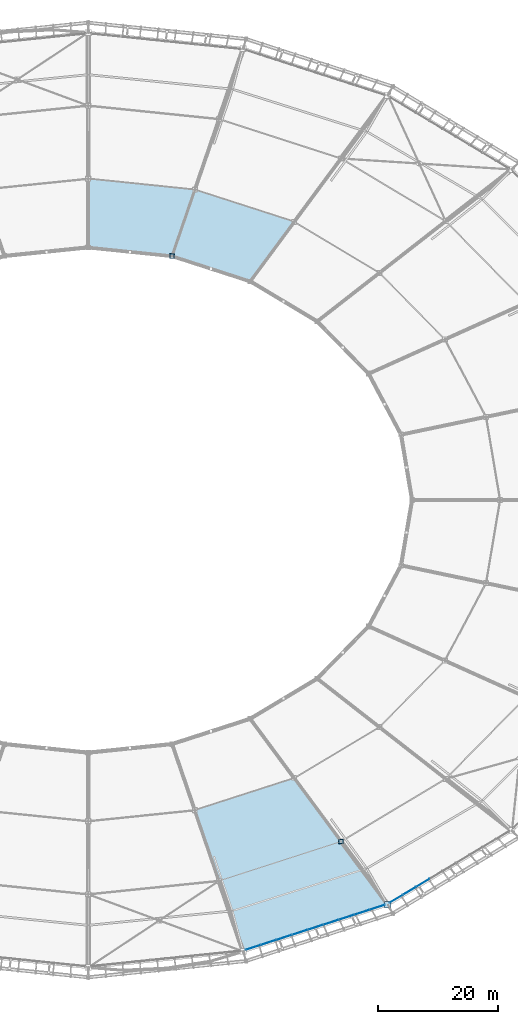
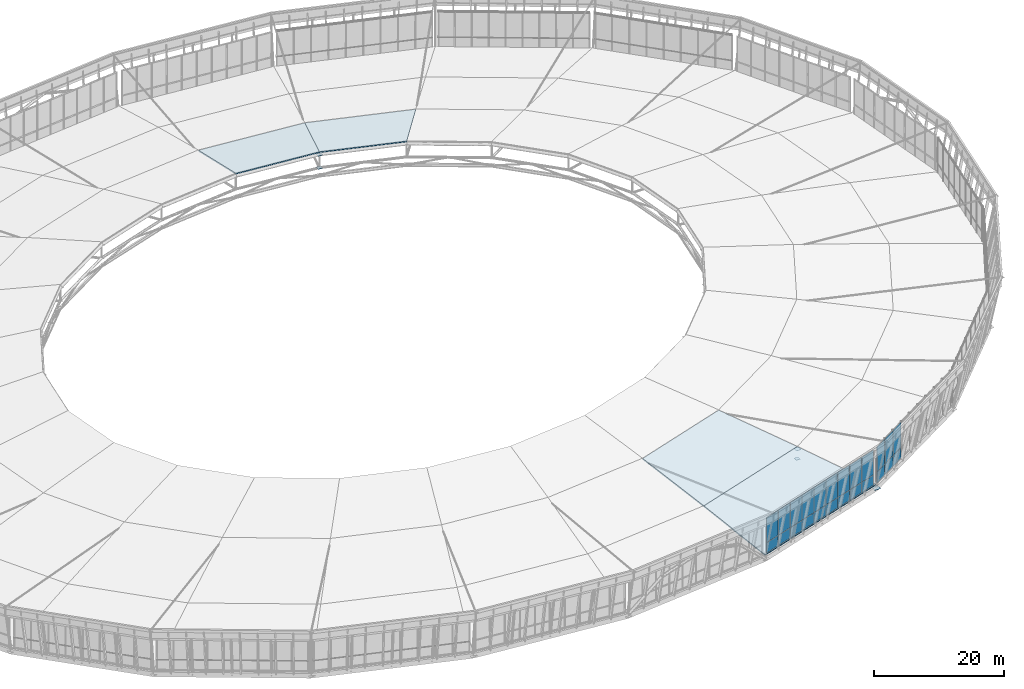
# One storey, part 89 of 115: 29 plates, 4 slabs, 4 elements without a shape of their own.
"""IFC4 building model written with IfcOpenShell, lengths in metres."""

from ifc_helpers import new_model, si_unit, direction, frame, origin, origin_2d, place, context, subcontext, project, spatial, polyline, rectangle, outline, extrude, material, layer, layer_set, type_object, element, aggregate, save


model = new_model("IFC4")

# Units and contexts
model_context = context("Model", 3, precision=1e-05, world=origin(), true_north=direction((0.0, 1.0)))
body_context = subcontext(model_context, "Body", "Model", "MODEL_VIEW")
ifc_project = project(units=[si_unit("LENGTHUNIT", "METRE"), si_unit("AREAUNIT", "SQUARE_METRE"), si_unit("VOLUMEUNIT", "CUBIC_METRE"), si_unit("PLANEANGLEUNIT", "RADIAN"), si_unit("MASSUNIT", "GRAM", prefix="KILO")], contexts=[model_context])

# Site, building, storey
site_placement = place(None, origin())
site = spatial("IfcSite", under=ifc_project, at=site_placement, CompositionType="ELEMENT")
building_placement = place(site_placement, origin())
building = spatial("IfcBuilding", under=site, at=building_placement, Name="Zlatoyarsky Gate Stadium", CompositionType="ELEMENT")
storey_placement = place(building_placement, frame((0.0, 0.0, 31.800048828125)))
storey = spatial("IfcBuildingStorey", under=building, at=storey_placement, Name="RF", CompositionType="ELEMENT", Elevation=31.800048828125)

# Roof, slabs
ifc_material_1 = material(Name="Standing-seam aluminium-zinc roofing with mineral wool insulation", Category="aluminium")
ifc_layer_1 = layer(ifc_material_1, 0.080078125)
ifc_layer_set_1 = layer_set([ifc_layer_1], Name="Standing-seam aluminium-zinc roofing with mineral wool insulation")
roof_type = type_object("IfcRoofType", Name="STADIUM BARREL VAULT ROOF ASSEMBLY", PredefinedType="BARREL_ROOF", material=ifc_layer_set_1)
roof_1_placement = place(storey_placement, origin())
roof_1 = element("IfcRoof", 1, at=roof_1_placement, inside=storey, type_object=roof_type, Name="Stadium barrel arch roof sector 2", PredefinedType="BARREL_ROOF")
ifc_material_2 = material(Name="Concrete C40/50", Category="concrete")
ifc_layer_2 = layer(ifc_material_2, 0.199951171875)
ifc_layer_set_2 = layer_set([ifc_layer_2], Name="Concrete C40/50")
slab_type = type_object("IfcSlabType", Name="COMPOSITE STADIUM ROOF DECK SLAB 200", PredefinedType="ROOF", material=ifc_layer_set_2)
slab_1_placement = place(storey_placement, frame((145.369384765625, 126.436767578125, 6.75), z_axis=(0.067758031107, 0.209707146145, 0.975413636401), x_axis=(-0.951560523066, 0.307461495055, -1.030491e-06)))
slab_1 = element("IfcSlab", 2, at=slab_1_placement, type_object=slab_type, Name="Stadium arched roof deck sector 04 bay 3", PredefinedType="ROOF", context=body_context, shape_type="SweptSolid", body=[
    extrude(outline(polyline([(0.0, 0.0), (17.42229735883615, 0.0), (17.637674146388235, 12.024213374428413), (3.9469601064556965, 12.024067892131605), (0.0, 0.0)])), origin(), (0.0, 0.0, -1.0), 0.199951171875),
])
slab_2_placement = place(storey_placement, frame((128.791015625, 131.79345703125, 6.75), z_axis=(0.023082163871, 0.224749293914, 0.974143197172), x_axis=(-0.994767639203, 0.102163320197, 2.62367e-07)))
slab_2 = element("IfcSlab", 3, at=slab_2_placement, type_object=slab_type, Name="Stadium arched roof deck sector 05 bay 3", PredefinedType="ROOF", context=body_context, shape_type="SweptSolid", body=[
    extrude(outline(polyline([(0.0, 0.0), (17.884594163179372, -2.220446049250313e-16), (16.711188266952558, 11.728768464324467), (2.657670922679552, 11.728805553058613), (0.0, 0.0)])), origin(), (0.0, 0.0, -1.0), 0.199951171875),
])
aggregate(roof_1, [slab_1, slab_2])

roof_2_placement = place(storey_placement, origin())
roof_2 = element("IfcRoof", 4, at=roof_2_placement, inside=storey, type_object=roof_type, Name="Stadium barrel arch roof sector 7", PredefinedType="BARREL_ROOF")
slab_3_placement = place(storey_placement, frame((136.88916015625, 4.631103515625, 0.199951171875), z_axis=(0.080926633941, -0.25045970369, 0.964738729785), x_axis=(0.951561589275, 0.307458195234, -8.16732e-07)))
slab_3 = element("IfcSlab", 5, at=slab_3_placement, type_object=slab_type, Name="Stadium arched roof deck sector 19 bay 1", PredefinedType="ROOF", context=body_context, shape_type="SweptSolid", body=[
    extrude(outline(polyline([(0.0, 0.0), (25.352803638085895, 0.0), (21.158837114479507, 12.91716689231748), (-0.22875091544180007, 12.917021858119801), (0.0, 0.0)])), origin(), (0.0, 0.0, -1.0), 0.199951171875),
])
slab_4_placement = place(storey_placement, frame((132.840087890625, 16.418701171875, 3.599853515625), z_axis=(0.075351968542, -0.233204753285, 0.969503802923), x_axis=(0.951559522359, 0.30746459212, 3.31256e-07)))
slab_4 = element("IfcSlab", 6, at=slab_4_placement, type_object=slab_type, Name="Stadium arched roof deck sector 19 bay 2", PredefinedType="ROOF", context=body_context, shape_type="SweptSolid", body=[
    extrude(outline(polyline([(0.0, 0.0), (21.387588030422577, 1.7763568394002505e-15), (17.193709101244803, 12.853716278917284), (-0.22858825752056824, 12.853768736129387), (0.0, 0.0)])), origin(), (0.0, 0.0, -1.0), 0.199951171875),
])
aggregate(roof_2, [slab_3, slab_4])

# Plates
ifc_material_3 = material(Name="Steel S355", Category="steel")
ifc_layer_3 = layer(ifc_material_3, 0.02392578125)
ifc_layer_set_3 = layer_set([ifc_layer_3], Name="Steel S355")
plate_type_1 = type_object("IfcPlateType", Name="STEEL COMPRESSION RING NODE CAP SHEET 24", PredefinedType="SHEET", material=ifc_layer_set_3)
plate_1_placement = place(storey_placement, frame((161.013916015625, 12.426025390625, -0.4619140625), z_axis=(0.0, 0.0, 1.0), x_axis=(1.0, 0.0, 0.0)))
element("IfcPlate", 7, at=plate_1_placement, inside=storey, type_object=plate_type_1, Name="Node closure plate ND-CR1 NCAP-CR-20", PredefinedType="SHEET", context=body_context, shape_type="SweptSolid", body=[
    extrude(rectangle(XDim=1.050048828125, YDim=1.050048828125, at=origin_2d()), origin(), (0.0, 0.0, 1.0), 0.02392578125),
])
ifc_layer_4 = layer(ifc_material_3, 0.02392578125)
ifc_layer_set_4 = layer_set([ifc_layer_4], Name="Steel S355")
plate_type_2 = type_object("IfcPlateType", Name="STEEL HOLLOW CHORD SPLICE SHEET 24", PredefinedType="SHEET", material=ifc_layer_set_4)
plate_2_placement = place(storey_placement, frame((153.191650390625, 22.99462890625, 3.137939453125), z_axis=(0.0, 0.0, 1.0), x_axis=(1.0, 0.0, 0.0)))
element("IfcPlate", 8, at=plate_2_placement, inside=storey, type_object=plate_type_2, Name="Node closure plate ND-SP1 NCAP-TCH-20-1", PredefinedType="SHEET", context=body_context, shape_type="SweptSolid", body=[
    extrude(rectangle(XDim=0.85009765625, YDim=0.85009765625, at=origin_2d()), origin(), (0.0, 0.0, 1.0), 0.02392578125),
])
plate_3_placement = place(storey_placement, frame((153.191650390625, 22.99462890625, 1.337890625), z_axis=(0.0, 0.0, 1.0), x_axis=(1.0, 0.0, 0.0)))
element("IfcPlate", 9, at=plate_3_placement, inside=storey, type_object=plate_type_2, Name="Node closure plate ND-SP1 NCAP-BCH-20-1", PredefinedType="SHEET", context=body_context, shape_type="SweptSolid", body=[
    extrude(rectangle(XDim=0.719970703125, YDim=0.719970703125, at=origin_2d()), origin(), (0.0, 0.0, 1.0), 0.02392578125),
])
ifc_layer_5 = layer(ifc_material_3, 0.02392578125)
ifc_layer_set_5 = layer_set([ifc_layer_5], Name="Steel S355")
plate_type_3 = type_object("IfcPlateType", Name="STEEL TENSION RING NODE CAP SHEET 24", PredefinedType="SHEET", material=ifc_layer_set_5)
plate_4_placement = place(storey_placement, frame((124.97998046875, 120.69921875, 8.93798828125), z_axis=(0.0, 0.0, 1.0), x_axis=(1.0, 0.0, 0.0)))
element("IfcPlate", 10, at=plate_4_placement, inside=storey, type_object=plate_type_3, Name="Node closure plate ND-TR1 NCAP-TCH-05-3", PredefinedType="SHEET", context=body_context, shape_type="SweptSolid", body=[
    extrude(rectangle(XDim=0.85009765625, YDim=0.85009765625, at=origin_2d()), origin(), (0.0, 0.0, 1.0), 0.02392578125),
])
plate_5_placement = place(storey_placement, frame((124.97998046875, 120.69921875, 6.43798828125), z_axis=(0.0, 0.0, 1.0), x_axis=(1.0, 0.0, 0.0)))
element("IfcPlate", 11, at=plate_5_placement, inside=storey, type_object=plate_type_3, Name="Node closure plate ND-TR1 NCAP-BCH-05-3", PredefinedType="SHEET", context=body_context, shape_type="SweptSolid", body=[
    extrude(rectangle(XDim=0.719970703125, YDim=0.719970703125, at=origin_2d()), origin(), (0.0, 0.0, 1.0), 0.02392578125),
])

# Curtain wall, plates
ifc_material_4 = material(Name="Thermally broken anodised aluminium curtain wall", Category="aluminium")
curtain_wall_type = type_object("IfcCurtainWallType", Name="UNITISED SKYBOX RING GLAZING L05", PredefinedType="USERDEFINED", material=ifc_material_4)
curtain_wall_1_placement = place(storey_placement, origin())
curtain_wall_1 = element("IfcCurtainWall", 12, at=curtain_wall_1_placement, inside=storey, type_object=curtain_wall_type, Name="Curtain wall CW-RF-19", ObjectType="UNITISED GLAZING", PredefinedType="USERDEFINED")
ifc_material_5 = material(Name="Triple-glazed argon low-e architectural glass", Category="glass")
ifc_layer_6 = layer(ifc_material_5, 0.0380859375)
ifc_layer_set_6 = layer_set([ifc_layer_6], Name="Triple-glazed argon low-e architectural glass")
plate_type_4 = type_object("IfcPlateType", Name="TRIPLE GLAZED LOW E CURTAIN PANEL 38", PredefinedType="CURTAIN_PANEL", material=ifc_layer_set_6)
plate_6_placement = place(storey_placement, frame((138.544921875, 5.31298828125, 0.06494140625), z_axis=(0.0, 0.0, 1.0), x_axis=(0.951595836439, 0.307352182475, 0.0)))
plate_6 = element("IfcPlate", 13, at=plate_6_placement, type_object=plate_type_4, Name="CW-UG5 panel 1.1", PredefinedType="CURTAIN_PANEL", context=body_context, shape_type="SweptSolid", body=[
    extrude(rectangle(XDim=2.62646484375, YDim=0.0380859375, at=origin_2d()), origin(), (0.0, 0.0, 1.0), 2.052490234375),
])
plate_7_placement = place(storey_placement, frame((138.544921875, 5.31298828125, 2.1826171875), z_axis=(0.0, 0.0, 1.0), x_axis=(0.951595836439, 0.307352182475, 0.0)))
plate_7 = element("IfcPlate", 14, at=plate_7_placement, type_object=plate_type_4, Name="CW-UG5 panel 1.2", PredefinedType="CURTAIN_PANEL", context=body_context, shape_type="SweptSolid", body=[
    extrude(rectangle(XDim=2.62646484375, YDim=0.0380859375, at=origin_2d()), origin(), (0.0, 0.0, 1.0), 4.652587890625),
])
plate_8_placement = place(storey_placement, frame((141.12158203125, 6.145263671875, 0.06494140625), z_axis=(0.0, 0.0, 1.0), x_axis=(0.951595836439, 0.307352182475, 0.0)))
plate_8 = element("IfcPlate", 15, at=plate_8_placement, type_object=plate_type_4, Name="CW-UG5 panel 2.1", PredefinedType="CURTAIN_PANEL", context=body_context, shape_type="SweptSolid", body=[
    extrude(rectangle(XDim=2.658935546875, YDim=0.0380859375, at=origin_2d()), origin(), (0.0, 0.0, 1.0), 2.052490234375),
])
plate_9_placement = place(storey_placement, frame((141.12158203125, 6.145263671875, 2.1826171875), z_axis=(0.0, 0.0, 1.0), x_axis=(0.951595836439, 0.307352182475, 0.0)))
plate_9 = element("IfcPlate", 16, at=plate_9_placement, type_object=plate_type_4, Name="CW-UG5 panel 2.2", PredefinedType="CURTAIN_PANEL", context=body_context, shape_type="SweptSolid", body=[
    extrude(rectangle(XDim=2.658935546875, YDim=0.0380859375, at=origin_2d()), origin(), (0.0, 0.0, 1.0), 4.652587890625),
])
plate_10_placement = place(storey_placement, frame((143.7138671875, 6.982421875, 0.06494140625), z_axis=(0.0, 0.0, 1.0), x_axis=(0.951595836439, 0.307352182475, 0.0)))
plate_10 = element("IfcPlate", 17, at=plate_10_placement, type_object=plate_type_4, Name="CW-UG5 panel 3.1", PredefinedType="CURTAIN_PANEL", context=body_context, shape_type="SweptSolid", body=[
    extrude(rectangle(XDim=2.658935546875, YDim=0.0380859375, at=origin_2d()), origin(), (0.0, 0.0, 1.0), 2.052490234375),
])
plate_11_placement = place(storey_placement, frame((143.7138671875, 6.982421875, 2.1826171875), z_axis=(0.0, 0.0, 1.0), x_axis=(0.951595836439, 0.307352182475, 0.0)))
plate_11 = element("IfcPlate", 18, at=plate_11_placement, type_object=plate_type_4, Name="CW-UG5 panel 3.2", PredefinedType="CURTAIN_PANEL", context=body_context, shape_type="SweptSolid", body=[
    extrude(rectangle(XDim=2.658935546875, YDim=0.0380859375, at=origin_2d()), origin(), (0.0, 0.0, 1.0), 4.652587890625),
])
plate_12_placement = place(storey_placement, frame((146.30615234375, 7.819580078125, 0.06494140625), z_axis=(0.0, 0.0, 1.0), x_axis=(0.951595836439, 0.307352182475, 0.0)))
plate_12 = element("IfcPlate", 19, at=plate_12_placement, type_object=plate_type_4, Name="CW-UG5 panel 4.1", PredefinedType="CURTAIN_PANEL", context=body_context, shape_type="SweptSolid", body=[
    extrude(rectangle(XDim=2.658935546875, YDim=0.0380859375, at=origin_2d()), origin(), (0.0, 0.0, 1.0), 2.052490234375),
])
plate_13_placement = place(storey_placement, frame((146.30615234375, 7.819580078125, 2.1826171875), z_axis=(0.0, 0.0, 1.0), x_axis=(0.951595836439, 0.307352182475, 0.0)))
plate_13 = element("IfcPlate", 20, at=plate_13_placement, type_object=plate_type_4, Name="CW-UG5 panel 4.2", PredefinedType="CURTAIN_PANEL", context=body_context, shape_type="SweptSolid", body=[
    extrude(rectangle(XDim=2.658935546875, YDim=0.0380859375, at=origin_2d()), origin(), (0.0, 0.0, 1.0), 4.652587890625),
])
plate_14_placement = place(storey_placement, frame((148.898193359375, 8.656982421875, 0.06494140625), z_axis=(0.0, 0.0, 1.0), x_axis=(0.951595836439, 0.307352182475, 0.0)))
plate_14 = element("IfcPlate", 21, at=plate_14_placement, type_object=plate_type_4, Name="CW-UG5 panel 5.1", PredefinedType="CURTAIN_PANEL", context=body_context, shape_type="SweptSolid", body=[
    extrude(rectangle(XDim=2.658935546875, YDim=0.0380859375, at=origin_2d()), origin(), (0.0, 0.0, 1.0), 2.052490234375),
])
plate_15_placement = place(storey_placement, frame((148.898193359375, 8.656982421875, 2.1826171875), z_axis=(0.0, 0.0, 1.0), x_axis=(0.951595836439, 0.307352182475, 0.0)))
plate_15 = element("IfcPlate", 22, at=plate_15_placement, type_object=plate_type_4, Name="CW-UG5 panel 5.2", PredefinedType="CURTAIN_PANEL", context=body_context, shape_type="SweptSolid", body=[
    extrude(rectangle(XDim=2.658935546875, YDim=0.0380859375, at=origin_2d()), origin(), (0.0, 0.0, 1.0), 4.652587890625),
])
plate_16_placement = place(storey_placement, frame((151.490478515625, 9.494140625, 0.06494140625), z_axis=(0.0, 0.0, 1.0), x_axis=(0.951595836439, 0.307352182475, 0.0)))
plate_16 = element("IfcPlate", 23, at=plate_16_placement, type_object=plate_type_4, Name="CW-UG5 panel 6.1", PredefinedType="CURTAIN_PANEL", context=body_context, shape_type="SweptSolid", body=[
    extrude(rectangle(XDim=2.658935546875, YDim=0.0380859375, at=origin_2d()), origin(), (0.0, 0.0, 1.0), 2.052490234375),
])
plate_17_placement = place(storey_placement, frame((151.490478515625, 9.494140625, 2.1826171875), z_axis=(0.0, 0.0, 1.0), x_axis=(0.951595836439, 0.307352182475, 0.0)))
plate_17 = element("IfcPlate", 24, at=plate_17_placement, type_object=plate_type_4, Name="CW-UG5 panel 6.2", PredefinedType="CURTAIN_PANEL", context=body_context, shape_type="SweptSolid", body=[
    extrude(rectangle(XDim=2.658935546875, YDim=0.0380859375, at=origin_2d()), origin(), (0.0, 0.0, 1.0), 4.652587890625),
])
plate_18_placement = place(storey_placement, frame((154.082763671875, 10.331298828125, 0.06494140625), z_axis=(0.0, 0.0, 1.0), x_axis=(0.951595836439, 0.307352182475, 0.0)))
plate_18 = element("IfcPlate", 25, at=plate_18_placement, type_object=plate_type_4, Name="CW-UG5 panel 7.1", PredefinedType="CURTAIN_PANEL", context=body_context, shape_type="SweptSolid", body=[
    extrude(rectangle(XDim=2.658935546875, YDim=0.0380859375, at=origin_2d()), origin(), (0.0, 0.0, 1.0), 2.052490234375),
])
plate_19_placement = place(storey_placement, frame((154.082763671875, 10.331298828125, 2.1826171875), z_axis=(0.0, 0.0, 1.0), x_axis=(0.951595836439, 0.307352182475, 0.0)))
plate_19 = element("IfcPlate", 26, at=plate_19_placement, type_object=plate_type_4, Name="CW-UG5 panel 7.2", PredefinedType="CURTAIN_PANEL", context=body_context, shape_type="SweptSolid", body=[
    extrude(rectangle(XDim=2.658935546875, YDim=0.0380859375, at=origin_2d()), origin(), (0.0, 0.0, 1.0), 4.652587890625),
])
plate_20_placement = place(storey_placement, frame((156.6748046875, 11.168701171875, 0.06494140625), z_axis=(0.0, 0.0, 1.0), x_axis=(0.951595836439, 0.307352182475, 0.0)))
plate_20 = element("IfcPlate", 27, at=plate_20_placement, type_object=plate_type_4, Name="CW-UG5 panel 8.1", PredefinedType="CURTAIN_PANEL", context=body_context, shape_type="SweptSolid", body=[
    extrude(rectangle(XDim=2.658935546875, YDim=0.0380859375, at=origin_2d()), origin(), (0.0, 0.0, 1.0), 2.052490234375),
])
plate_21_placement = place(storey_placement, frame((156.6748046875, 11.168701171875, 2.1826171875), z_axis=(0.0, 0.0, 1.0), x_axis=(0.951595836439, 0.307352182475, 0.0)))
plate_21 = element("IfcPlate", 28, at=plate_21_placement, type_object=plate_type_4, Name="CW-UG5 panel 8.2", PredefinedType="CURTAIN_PANEL", context=body_context, shape_type="SweptSolid", body=[
    extrude(rectangle(XDim=2.658935546875, YDim=0.0380859375, at=origin_2d()), origin(), (0.0, 0.0, 1.0), 4.652587890625),
])
plate_22_placement = place(storey_placement, frame((159.251708984375, 12.0009765625, 0.06494140625), z_axis=(0.0, 0.0, 1.0), x_axis=(0.951595836439, 0.307352182475, 0.0)))
plate_22 = element("IfcPlate", 29, at=plate_22_placement, type_object=plate_type_4, Name="CW-UG5 panel 9.1", PredefinedType="CURTAIN_PANEL", context=body_context, shape_type="SweptSolid", body=[
    extrude(rectangle(XDim=2.62646484375, YDim=0.0380859375, at=origin_2d()), origin(), (0.0, 0.0, 1.0), 2.052490234375),
])
plate_23_placement = place(storey_placement, frame((159.251708984375, 12.0009765625, 2.1826171875), z_axis=(0.0, 0.0, 1.0), x_axis=(0.951595836439, 0.307352182475, 0.0)))
plate_23 = element("IfcPlate", 30, at=plate_23_placement, type_object=plate_type_4, Name="CW-UG5 panel 9.2", PredefinedType="CURTAIN_PANEL", context=body_context, shape_type="SweptSolid", body=[
    extrude(rectangle(XDim=2.62646484375, YDim=0.0380859375, at=origin_2d()), origin(), (0.0, 0.0, 1.0), 4.652587890625),
])
aggregate(curtain_wall_1, [plate_6, plate_7, plate_8, plate_9, plate_10, plate_11, plate_12, plate_13, plate_14, plate_15, plate_16, plate_17, plate_18, plate_19, plate_20, plate_21, plate_22, plate_23])

curtain_wall_2_placement = place(storey_placement, origin())
curtain_wall_2 = element("IfcCurtainWall", 31, at=curtain_wall_2_placement, inside=storey, type_object=curtain_wall_type, Name="Curtain wall CW-RF-20", ObjectType="UNITISED GLAZING", PredefinedType="USERDEFINED")
plate_24_placement = place(storey_placement, frame((162.412109375, 13.426025390625, 0.06494140625), z_axis=(0.0, 0.0, 1.0), x_axis=(0.858127891517, 0.513435995817, 0.0)))
plate_24 = element("IfcPlate", 32, at=plate_24_placement, type_object=plate_type_4, Name="CW-UG5 panel 1.1", PredefinedType="CURTAIN_PANEL", context=body_context, shape_type="SweptSolid", body=[
    extrude(rectangle(XDim=2.4921875, YDim=0.0380859375, at=origin_2d()), origin(), (0.0, 0.0, 1.0), 2.052490234375),
])
plate_25_placement = place(storey_placement, frame((162.412109375, 13.426025390625, 2.1826171875), z_axis=(0.0, 0.0, 1.0), x_axis=(0.858127891517, 0.513435995817, 0.0)))
plate_25 = element("IfcPlate", 33, at=plate_25_placement, type_object=plate_type_4, Name="CW-UG5 panel 1.2", PredefinedType="CURTAIN_PANEL", context=body_context, shape_type="SweptSolid", body=[
    extrude(rectangle(XDim=2.4921875, YDim=0.0380859375, at=origin_2d()), origin(), (0.0, 0.0, 1.0), 4.652587890625),
])
plate_26_placement = place(storey_placement, frame((164.62060546875, 14.747314453125, 0.06494140625), z_axis=(0.0, 0.0, 1.0), x_axis=(0.858127891517, 0.513435995817, 0.0)))
plate_26 = element("IfcPlate", 34, at=plate_26_placement, type_object=plate_type_4, Name="CW-UG5 panel 2.1", PredefinedType="CURTAIN_PANEL", context=body_context, shape_type="SweptSolid", body=[
    extrude(rectangle(XDim=2.524658203125, YDim=0.0380859375, at=origin_2d()), origin(), (0.0, 0.0, 1.0), 2.052490234375),
])
plate_27_placement = place(storey_placement, frame((164.62060546875, 14.747314453125, 2.1826171875), z_axis=(0.0, 0.0, 1.0), x_axis=(0.858127891517, 0.513435995817, 0.0)))
plate_27 = element("IfcPlate", 35, at=plate_27_placement, type_object=plate_type_4, Name="CW-UG5 panel 2.2", PredefinedType="CURTAIN_PANEL", context=body_context, shape_type="SweptSolid", body=[
    extrude(rectangle(XDim=2.524658203125, YDim=0.0380859375, at=origin_2d()), origin(), (0.0, 0.0, 1.0), 4.652587890625),
])
plate_28_placement = place(storey_placement, frame((166.8427734375, 16.076904296875, 0.06494140625), z_axis=(0.0, 0.0, 1.0), x_axis=(0.858127891517, 0.513435995817, 0.0)))
plate_28 = element("IfcPlate", 36, at=plate_28_placement, type_object=plate_type_4, Name="CW-UG5 panel 3.1", PredefinedType="CURTAIN_PANEL", context=body_context, shape_type="SweptSolid", body=[
    extrude(rectangle(XDim=2.524658203125, YDim=0.0380859375, at=origin_2d()), origin(), (0.0, 0.0, 1.0), 2.052490234375),
])
plate_29_placement = place(storey_placement, frame((166.8427734375, 16.076904296875, 2.1826171875), z_axis=(0.0, 0.0, 1.0), x_axis=(0.858127891517, 0.513435995817, 0.0)))
plate_29 = element("IfcPlate", 37, at=plate_29_placement, type_object=plate_type_4, Name="CW-UG5 panel 3.2", PredefinedType="CURTAIN_PANEL", context=body_context, shape_type="SweptSolid", body=[
    extrude(rectangle(XDim=2.524658203125, YDim=0.0380859375, at=origin_2d()), origin(), (0.0, 0.0, 1.0), 4.652587890625),
])
aggregate(curtain_wall_2, [plate_24, plate_25, plate_26, plate_27, plate_28, plate_29])

save(model, "model.ifc")
